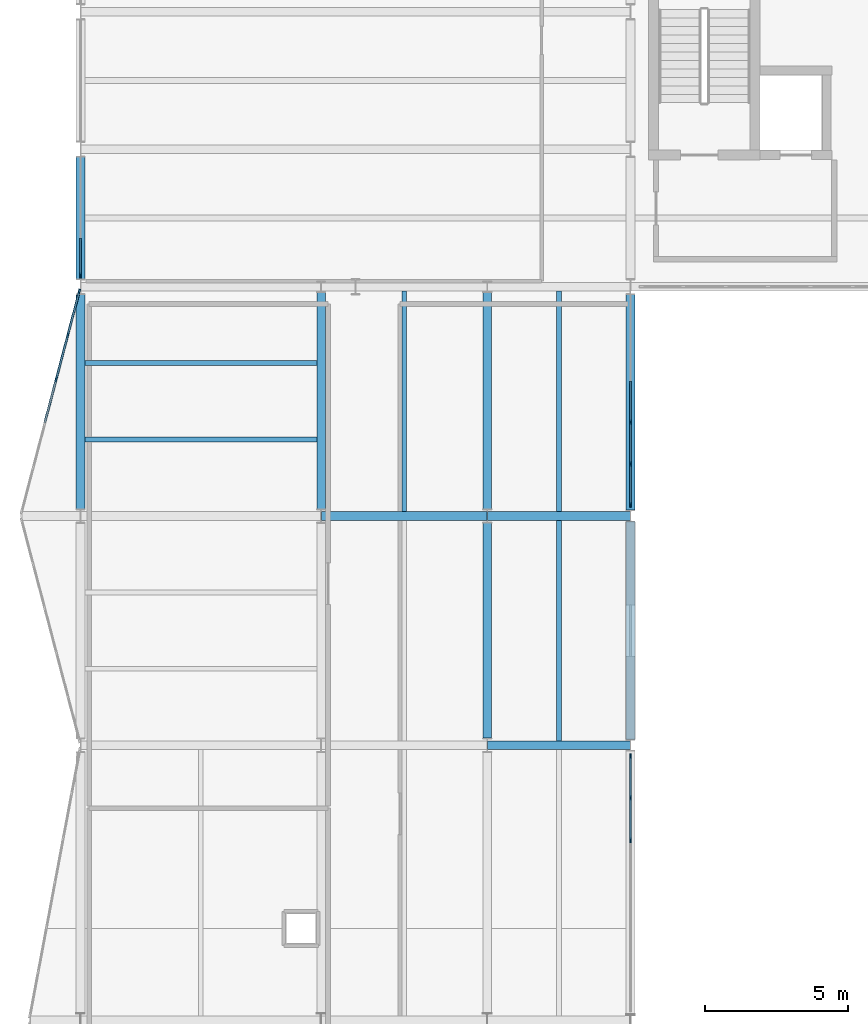
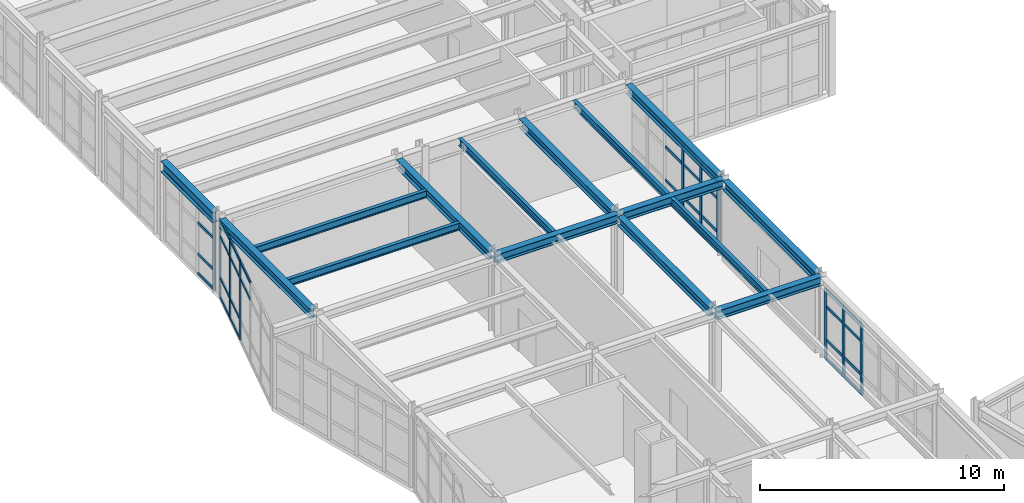
# One storey, part 27 of 88: 44 members, 15 beams, 4 elements without a shape of their own.
"""IFC4 building model written with IfcOpenShell, lengths in metres."""

from ifc_helpers import new_model, si_unit, direction, frame, origin, origin_2d, place, context, subcontext, project, spatial, rectangle, i_section, extrude, material, layer, layer_set, material_profile, profile_set, type_object, element, aggregate, save


model = new_model("IFC4")

# Units and contexts
model_context = context("Model", 3, precision=1e-05, world=origin(), true_north=direction((0.0, 1.0)))
body_context = subcontext(model_context, "Body", "Model", "MODEL_VIEW")
ifc_project = project(units=[si_unit("LENGTHUNIT", "METRE"), si_unit("AREAUNIT", "SQUARE_METRE"), si_unit("VOLUMEUNIT", "CUBIC_METRE"), si_unit("PLANEANGLEUNIT", "RADIAN"), si_unit("MASSUNIT", "GRAM", prefix="KILO")], contexts=[model_context])

# Site, building, storey
site_placement = place(None, origin())
site = spatial("IfcSite", under=ifc_project, at=site_placement, CompositionType="ELEMENT")
building_placement = place(site_placement, origin())
building = spatial("IfcBuilding", under=site, at=building_placement, Name="Nordkorset Police Headquarters", CompositionType="ELEMENT")
storey_placement = place(building_placement, frame((0.0, 0.0, 9.449951171875)))
storey = spatial("IfcBuildingStorey", under=building, at=storey_placement, Name="L02", CompositionType="ELEMENT", Elevation=9.449951171875)

# Beams
ifc_material_1 = material(Name="Steel S355J2", Category="steel")
ifc_material_profile_1 = material_profile(ifc_material_1, i_section(OverallWidth=0.169921875, OverallDepth=0.360107421875, WebThickness=0.008056640625, FlangeThickness=0.0126953125, FilletRadius=0.01806640625, at=origin_2d()), Name="IPE 360")
ifc_profile_set_1 = profile_set([ifc_material_profile_1], Name="Steel S355J2")
beam_type_1 = type_object("IfcBeamType", Name="Beam_IPE_360", PredefinedType="BEAM", material=ifc_profile_set_1)
for number, where, z_axis, x_axis, name in (
    (1, (0.14990234375, 77.86669921875, 3.7900390625), (1.0, 0.0, 0.0), (0.0, 1.0, 0.0), "Composite Floor Beam V3 L02 0-5-1"),
    (2, (0.14990234375, 80.533447265625, 3.7900390625), (1.0, 0.0, 0.0), (0.0, 1.0, 0.0), "Composite Floor Beam V3 L02 0-5-2"),
):
    element("IfcBeam", number, at=place(storey_placement, frame(where, z_axis=z_axis, x_axis=x_axis)), inside=storey, type_object=beam_type_1, Name=name, PredefinedType="BEAM", context=body_context, shape_type="SweptSolid", body=[
        extrude(i_section(OverallWidth=0.169921875, OverallDepth=0.360107421875, WebThickness=0.008056640625, FlangeThickness=0.0126953125, FilletRadius=0.01806640625, at=origin_2d()), origin(), (0.0, 0.0, 1.0), 8.10009765625),
    ])
for number, where, z_axis, x_axis, name in (
    (3, (11.300048828125, 75.35009765625, 3.7900390625), (0.0, 1.0, 0.0), (-1.0, 0.0, 0.0), "Composite Floor Beam V3 L02 1-5-1"),
    (4, (16.699951171875, 67.35009765625, 3.7900390625), (0.0, 1.0, 0.0), (-1.0, 0.0, 0.0), "Composite Floor Beam V3 L02 2-4-1"),
    (5, (16.699951171875, 75.35009765625, 3.7900390625), (0.0, 1.0, 0.0), (-1.0, 0.0, 0.0), "Composite Floor Beam V3 L02 2-5-1"),
):
    element("IfcBeam", number, at=place(storey_placement, frame(where, z_axis=z_axis, x_axis=x_axis)), inside=storey, type_object=beam_type_1, Name=name, PredefinedType="BEAM", context=body_context, shape_type="SweptSolid", body=[
        extrude(i_section(OverallWidth=0.169921875, OverallDepth=0.360107421875, WebThickness=0.008056640625, FlangeThickness=0.0126953125, FilletRadius=0.01806640625, at=origin_2d()), origin(), (0.0, 0.0, 1.0), 7.699951171875),
    ])

# Curtain wall, member
ifc_material_2 = material(Name="Aluminium alloy AW-6060", Category="aluminium")
ifc_layer_1 = layer(ifc_material_2, 0.179931640625, Name="Aluminium alloy AW-6060")
ifc_layer_set_1 = layer_set([ifc_layer_1], Name="Aluminium alloy AW-6060")
curtain_wall_type_1 = type_object("IfcCurtainWallType", Name="CW_Unit_408x341", PredefinedType="USERDEFINED", material=ifc_layer_set_1)
curtain_wall_1_placement = place(storey_placement, origin())
curtain_wall_1 = element("IfcCurtainWall", 6, at=curtain_wall_1_placement, inside=storey, type_object=curtain_wall_type_1, Name="Unitised Curtain Wall L02 V1W-0", ObjectType="UNITISED CURTAIN WALL", PredefinedType="USERDEFINED")
ifc_material_3 = material(Name="Aluminium alloy AW-6060", Category="aluminium")
ifc_material_profile_2 = material_profile(ifc_material_3, rectangle(XDim=0.06494140625, YDim=0.179931640625, at=origin_2d()), Name="ALU MULL 65x180")
ifc_profile_set_2 = profile_set([ifc_material_profile_2], Name="Aluminium alloy AW-6060")
member_type_1 = type_object("IfcMemberType", Name="CW_Mullion_65x180", PredefinedType="MULLION", material=ifc_profile_set_2)
member_1_placement = place(storey_placement, frame((0.0, 83.592529296875, 0.0), z_axis=(0.0, 0.0, 1.0), x_axis=(-1.0, 0.0, 0.0)))
member_1 = element("IfcMember", 7, at=member_1_placement, type_object=member_type_1, Name="CW-40 mullion 1", PredefinedType="MULLION", context=body_context, shape_type="SweptSolid", body=[
    extrude(rectangle(XDim=0.06494140625, YDim=0.179931640625, at=origin_2d()), origin(), (0.0, 0.0, 1.0), 3.41015625),
])

# Curtain wall, members
ifc_material_4 = material(Name="Aluminium alloy AW-6060", Category="aluminium")
ifc_layer_2 = layer(ifc_material_4, 0.179931640625, Name="Aluminium alloy AW-6060")
ifc_layer_set_2 = layer_set([ifc_layer_2], Name="Aluminium alloy AW-6060")
curtain_wall_type_2 = type_object("IfcCurtainWallType", Name="CW_Unit_888x351", PredefinedType="USERDEFINED", material=ifc_layer_set_2)
curtain_wall_2_placement = place(storey_placement, origin())
curtain_wall_2 = element("IfcCurtainWall", 8, at=curtain_wall_2_placement, inside=storey, type_object=curtain_wall_type_2, Name="Unitised Curtain Wall L02 V3E-3", ObjectType="UNITISED CURTAIN WALL", PredefinedType="USERDEFINED")
member_2_placement = place(storey_placement, frame((19.199951171875, 63.8798828125, 0.0), z_axis=(0.0, 0.0, 1.0), x_axis=(-1.0, 0.0, 0.0)))
member_2 = element("IfcMember", 9, at=member_2_placement, type_object=member_type_1, Name="CW-58 mullion 5", PredefinedType="MULLION", context=body_context, shape_type="SweptSolid", body=[
    extrude(rectangle(XDim=0.06494140625, YDim=0.179931640625, at=origin_2d()), origin(), (0.0, 0.0, 1.0), 3.510009765625),
])
member_3_placement = place(storey_placement, frame((19.199951171875, 65.360107421875, 0.0), z_axis=(0.0, 0.0, 1.0), x_axis=(-1.0, 0.0, 0.0)))
member_3 = element("IfcMember", 10, at=member_3_placement, type_object=member_type_1, Name="CW-58 mullion 6", PredefinedType="MULLION", context=body_context, shape_type="SweptSolid", body=[
    extrude(rectangle(XDim=0.06494140625, YDim=0.179931640625, at=origin_2d()), origin(), (0.0, 0.0, 1.0), 3.510009765625),
])
member_4_placement = place(storey_placement, frame((19.199951171875, 66.8076171875, 0.0), z_axis=(0.0, 0.0, 1.0), x_axis=(-1.0, 0.0, 0.0)))
member_4 = element("IfcMember", 11, at=member_4_placement, type_object=member_type_1, Name="CW-58 mullion 7", PredefinedType="MULLION", context=body_context, shape_type="SweptSolid", body=[
    extrude(rectangle(XDim=0.06494140625, YDim=0.179931640625, at=origin_2d()), origin(), (0.0, 0.0, 1.0), 3.510009765625),
])

ifc_material_5 = material(Name="Aluminium alloy AW-6060", Category="aluminium")
ifc_layer_3 = layer(ifc_material_5, 0.179931640625, Name="Aluminium alloy AW-6060")
ifc_layer_set_3 = layer_set([ifc_layer_3], Name="Aluminium alloy AW-6060")
curtain_wall_type_3 = type_object("IfcCurtainWallType", Name="CW_Unit_799x392", PredefinedType="USERDEFINED", material=ifc_layer_set_3)
curtain_wall_3_placement = place(storey_placement, origin())
curtain_wall_3 = element("IfcCurtainWall", 12, at=curtain_wall_3_placement, inside=storey, type_object=curtain_wall_type_3, Name="Unitised Curtain Wall L02 V3W-5", ObjectType="UNITISED CURTAIN WALL", PredefinedType="USERDEFINED")
member_5_placement = place(storey_placement, frame((-0.84716796875, 79.972900390625, 0.0), z_axis=(0.0, 0.0, 1.0), x_axis=(-0.967231265013, 0.25389698695, 0.0)))
member_5 = element("IfcMember", 13, at=member_5_placement, type_object=member_type_1, Name="CW-68 mullion 4", PredefinedType="MULLION", context=body_context, shape_type="SweptSolid", body=[
    extrude(rectangle(XDim=0.06494140625, YDim=0.179931640625, at=origin_2d()), origin(), (0.0, 0.0, 1.0), 3.920166015625),
])
member_6_placement = place(storey_placement, frame((-0.44140625, 81.518798828125, 0.0), z_axis=(0.0, 0.0, 1.0), x_axis=(-0.967231265013, 0.25389698695, 0.0)))
member_6 = element("IfcMember", 14, at=member_6_placement, type_object=member_type_1, Name="CW-68 mullion 5", PredefinedType="MULLION", context=body_context, shape_type="SweptSolid", body=[
    extrude(rectangle(XDim=0.06494140625, YDim=0.179931640625, at=origin_2d()), origin(), (0.0, 0.0, 1.0), 3.920166015625),
])
member_7_placement = place(storey_placement, frame((-0.043701171875, 83.033203125, 0.0), z_axis=(0.0, 0.0, 1.0), x_axis=(-0.967231265013, 0.25389698695, 0.0)))
member_7 = element("IfcMember", 15, at=member_7_placement, type_object=member_type_1, Name="CW-68 mullion 6", PredefinedType="MULLION", context=body_context, shape_type="SweptSolid", body=[
    extrude(rectangle(XDim=0.06494140625, YDim=0.179931640625, at=origin_2d()), origin(), (0.0, 0.0, 1.0), 3.920166015625),
])

ifc_material_6 = material(Name="Aluminium alloy AW-6060", Category="aluminium")
ifc_layer_4 = layer(ifc_material_6, 0.179931640625, Name="Aluminium alloy AW-6060")
ifc_layer_set_4 = layer_set([ifc_layer_4], Name="Aluminium alloy AW-6060")
curtain_wall_type_4 = type_object("IfcCurtainWallType", Name="CW_Unit_728x351", PredefinedType="USERDEFINED", material=ifc_layer_set_4)
curtain_wall_4_placement = place(storey_placement, origin())
curtain_wall_4 = element("IfcCurtainWall", 16, at=curtain_wall_4_placement, inside=storey, type_object=curtain_wall_type_4, Name="Unitised Curtain Wall L02 V3E-5", ObjectType="UNITISED CURTAIN WALL", PredefinedType="USERDEFINED")
member_8_placement = place(storey_placement, frame((19.199951171875, 75.592529296875, 0.0), z_axis=(0.0, 0.0, 1.0), x_axis=(-1.0, 0.0, 0.0)))
member_8 = element("IfcMember", 17, at=member_8_placement, type_object=member_type_1, Name="CW-86 mullion 1", PredefinedType="MULLION", context=body_context, shape_type="SweptSolid", body=[
    extrude(rectangle(XDim=0.06494140625, YDim=0.179931640625, at=origin_2d()), origin(), (0.0, 0.0, 1.0), 3.510009765625),
])
member_9_placement = place(storey_placement, frame((19.199951171875, 77.01611328125, 0.0), z_axis=(0.0, 0.0, 1.0), x_axis=(-1.0, 0.0, 0.0)))
member_9 = element("IfcMember", 18, at=member_9_placement, type_object=member_type_1, Name="CW-86 mullion 2", PredefinedType="MULLION", context=body_context, shape_type="SweptSolid", body=[
    extrude(rectangle(XDim=0.06494140625, YDim=0.179931640625, at=origin_2d()), origin(), (0.0, 0.0, 1.0), 3.510009765625),
])
member_10_placement = place(storey_placement, frame((19.199951171875, 78.471923828125, 0.0), z_axis=(0.0, 0.0, 1.0), x_axis=(-1.0, 0.0, 0.0)))
member_10 = element("IfcMember", 19, at=member_10_placement, type_object=member_type_1, Name="CW-86 mullion 3", PredefinedType="MULLION", context=body_context, shape_type="SweptSolid", body=[
    extrude(rectangle(XDim=0.06494140625, YDim=0.179931640625, at=origin_2d()), origin(), (0.0, 0.0, 1.0), 3.510009765625),
])

# Member
ifc_material_7 = material(Name="Aluminium alloy AW-6060", Category="aluminium")
ifc_material_profile_3 = material_profile(ifc_material_7, rectangle(XDim=0.06494140625, YDim=0.139892578125, at=origin_2d()), Name="ALU TRAN 65x140")
ifc_profile_set_3 = profile_set([ifc_material_profile_3], Name="Aluminium alloy AW-6060")
member_type_2 = type_object("IfcMemberType", Name="CW_Transom_65x140", PredefinedType="USERDEFINED", material=ifc_profile_set_3)
member_11_placement = place(storey_placement, frame((0.0, 83.625, 0.032470703125), z_axis=(0.0, 1.0, 0.0), x_axis=(-1.0, 0.0, 0.0)))
member_11 = element("IfcMember", 20, at=member_11_placement, type_object=member_type_2, Name="CW-40 transom 1.1", ObjectType="TRANSOM", PredefinedType="USERDEFINED", context=body_context, shape_type="SweptSolid", body=[
    extrude(rectangle(XDim=0.06494140625, YDim=0.139892578125, at=origin_2d()), origin(), (0.0, 0.0, 1.0), 1.262451171875),
])

member_12_placement = place(storey_placement, frame((0.0, 83.625, 1.0), z_axis=(0.0, 1.0, 0.0), x_axis=(-1.0, 0.0, 0.0)))
member_12 = element("IfcMember", 21, at=member_12_placement, type_object=member_type_2, Name="CW-40 transom 1.2", ObjectType="TRANSOM", PredefinedType="USERDEFINED", context=body_context, shape_type="SweptSolid", body=[
    extrude(rectangle(XDim=0.06494140625, YDim=0.139892578125, at=origin_2d()), origin(), (0.0, 0.0, 1.0), 1.262451171875),
])

member_13_placement = place(storey_placement, frame((0.0, 83.625, 2.56005859375), z_axis=(0.0, 1.0, 0.0), x_axis=(-1.0, 0.0, 0.0)))
member_13 = element("IfcMember", 22, at=member_13_placement, type_object=member_type_2, Name="CW-40 transom 1.3", ObjectType="TRANSOM", PredefinedType="USERDEFINED", context=body_context, shape_type="SweptSolid", body=[
    extrude(rectangle(XDim=0.06494140625, YDim=0.139892578125, at=origin_2d()), origin(), (0.0, 0.0, 1.0), 1.262451171875),
])

member_14_placement = place(storey_placement, frame((0.0, 83.625, 3.37744140625), z_axis=(0.0, 1.0, 0.0), x_axis=(-1.0, 0.0, 0.0)))
member_14 = element("IfcMember", 23, at=member_14_placement, type_object=member_type_2, Name="CW-40 transom 1.4", ObjectType="TRANSOM", PredefinedType="USERDEFINED", context=body_context, shape_type="SweptSolid", body=[
    extrude(rectangle(XDim=0.06494140625, YDim=0.139892578125, at=origin_2d()), origin(), (0.0, 0.0, 1.0), 1.262451171875),
])

aggregate(curtain_wall_1, [member_1, member_11, member_12, member_13, member_14])

member_15_placement = place(storey_placement, frame((19.199951171875, 63.91259765625, 0.032470703125), z_axis=(0.0, 1.0, 0.0), x_axis=(-1.0, 0.0, 0.0)))
member_15 = element("IfcMember", 24, at=member_15_placement, type_object=member_type_2, Name="CW-58 transom 5.1", ObjectType="TRANSOM", PredefinedType="USERDEFINED", context=body_context, shape_type="SweptSolid", body=[
    extrude(rectangle(XDim=0.06494140625, YDim=0.139892578125, at=origin_2d()), origin(), (0.0, 0.0, 1.0), 1.414794921875),
])

member_16_placement = place(storey_placement, frame((19.199951171875, 63.91259765625, 1.0), z_axis=(0.0, 1.0, 0.0), x_axis=(-1.0, 0.0, 0.0)))
member_16 = element("IfcMember", 25, at=member_16_placement, type_object=member_type_2, Name="CW-58 transom 5.2", ObjectType="TRANSOM", PredefinedType="USERDEFINED", context=body_context, shape_type="SweptSolid", body=[
    extrude(rectangle(XDim=0.06494140625, YDim=0.139892578125, at=origin_2d()), origin(), (0.0, 0.0, 1.0), 1.414794921875),
])

member_17_placement = place(storey_placement, frame((19.199951171875, 63.91259765625, 2.66015625), z_axis=(0.0, 1.0, 0.0), x_axis=(-1.0, 0.0, 0.0)))
member_17 = element("IfcMember", 26, at=member_17_placement, type_object=member_type_2, Name="CW-58 transom 5.3", ObjectType="TRANSOM", PredefinedType="USERDEFINED", context=body_context, shape_type="SweptSolid", body=[
    extrude(rectangle(XDim=0.06494140625, YDim=0.139892578125, at=origin_2d()), origin(), (0.0, 0.0, 1.0), 1.414794921875),
])

member_18_placement = place(storey_placement, frame((19.199951171875, 63.91259765625, 3.4775390625), z_axis=(0.0, 1.0, 0.0), x_axis=(-1.0, 0.0, 0.0)))
member_18 = element("IfcMember", 27, at=member_18_placement, type_object=member_type_2, Name="CW-58 transom 5.4", ObjectType="TRANSOM", PredefinedType="USERDEFINED", context=body_context, shape_type="SweptSolid", body=[
    extrude(rectangle(XDim=0.06494140625, YDim=0.139892578125, at=origin_2d()), origin(), (0.0, 0.0, 1.0), 1.414794921875),
])

member_19_placement = place(storey_placement, frame((19.199951171875, 65.392578125, 0.032470703125), z_axis=(0.0, 1.0, 0.0), x_axis=(-1.0, 0.0, 0.0)))
member_19 = element("IfcMember", 28, at=member_19_placement, type_object=member_type_2, Name="CW-58 transom 6.1", ObjectType="TRANSOM", PredefinedType="USERDEFINED", context=body_context, shape_type="SweptSolid", body=[
    extrude(rectangle(XDim=0.06494140625, YDim=0.139892578125, at=origin_2d()), origin(), (0.0, 0.0, 1.0), 1.38232421875),
])

member_20_placement = place(storey_placement, frame((19.199951171875, 65.392578125, 1.0), z_axis=(0.0, 1.0, 0.0), x_axis=(-1.0, 0.0, 0.0)))
member_20 = element("IfcMember", 29, at=member_20_placement, type_object=member_type_2, Name="CW-58 transom 6.2", ObjectType="TRANSOM", PredefinedType="USERDEFINED", context=body_context, shape_type="SweptSolid", body=[
    extrude(rectangle(XDim=0.06494140625, YDim=0.139892578125, at=origin_2d()), origin(), (0.0, 0.0, 1.0), 1.38232421875),
])

member_21_placement = place(storey_placement, frame((19.199951171875, 65.392578125, 2.66015625), z_axis=(0.0, 1.0, 0.0), x_axis=(-1.0, 0.0, 0.0)))
member_21 = element("IfcMember", 30, at=member_21_placement, type_object=member_type_2, Name="CW-58 transom 6.3", ObjectType="TRANSOM", PredefinedType="USERDEFINED", context=body_context, shape_type="SweptSolid", body=[
    extrude(rectangle(XDim=0.06494140625, YDim=0.139892578125, at=origin_2d()), origin(), (0.0, 0.0, 1.0), 1.38232421875),
])

member_22_placement = place(storey_placement, frame((19.199951171875, 65.392578125, 3.4775390625), z_axis=(0.0, 1.0, 0.0), x_axis=(-1.0, 0.0, 0.0)))
member_22 = element("IfcMember", 31, at=member_22_placement, type_object=member_type_2, Name="CW-58 transom 6.4", ObjectType="TRANSOM", PredefinedType="USERDEFINED", context=body_context, shape_type="SweptSolid", body=[
    extrude(rectangle(XDim=0.06494140625, YDim=0.139892578125, at=origin_2d()), origin(), (0.0, 0.0, 1.0), 1.38232421875),
])

aggregate(curtain_wall_2, [member_2, member_3, member_4, member_15, member_16, member_17, member_18, member_19, member_20, member_21, member_22])

member_23_placement = place(storey_placement, frame((-1.24462890625, 78.45849609375, 3.070068359375), z_axis=(0.253834812056, 0.967247583708, 0.0), x_axis=(-0.967247583708, 0.253834812056, 0.0)))
member_23 = element("IfcMember", 32, at=member_23_placement, type_object=member_type_2, Name="CW-68 transom 3.3", ObjectType="TRANSOM", PredefinedType="USERDEFINED", context=body_context, shape_type="SweptSolid", body=[
    extrude(rectangle(XDim=0.06494140625, YDim=0.139892578125, at=origin_2d()), origin(), (0.0, 0.0, 1.0), 1.533203125),
])

member_24_placement = place(storey_placement, frame((-1.24462890625, 78.45849609375, 3.887451171875), z_axis=(0.253834812056, 0.967247583708, 0.0), x_axis=(-0.967247583708, 0.253834812056, 0.0)))
member_24 = element("IfcMember", 33, at=member_24_placement, type_object=member_type_2, Name="CW-68 transom 3.4", ObjectType="TRANSOM", PredefinedType="USERDEFINED", context=body_context, shape_type="SweptSolid", body=[
    extrude(rectangle(XDim=0.06494140625, YDim=0.139892578125, at=origin_2d()), origin(), (0.0, 0.0, 1.0), 1.533203125),
])

member_25_placement = place(storey_placement, frame((-0.8388671875, 80.00439453125, 0.032470703125), z_axis=(0.253983786522, 0.967208476071, 0.0), x_axis=(-0.967208476071, 0.253983786522, 0.0)))
member_25 = element("IfcMember", 34, at=member_25_placement, type_object=member_type_2, Name="CW-68 transom 4.1", ObjectType="TRANSOM", PredefinedType="USERDEFINED", context=body_context, shape_type="SweptSolid", body=[
    extrude(rectangle(XDim=0.06494140625, YDim=0.139892578125, at=origin_2d()), origin(), (0.0, 0.0, 1.0), 1.533203125),
])

member_26_placement = place(storey_placement, frame((-0.8388671875, 80.00439453125, 1.0), z_axis=(0.253983786522, 0.967208476071, 0.0), x_axis=(-0.967208476071, 0.253983786522, 0.0)))
member_26 = element("IfcMember", 35, at=member_26_placement, type_object=member_type_2, Name="CW-68 transom 4.2", ObjectType="TRANSOM", PredefinedType="USERDEFINED", context=body_context, shape_type="SweptSolid", body=[
    extrude(rectangle(XDim=0.06494140625, YDim=0.139892578125, at=origin_2d()), origin(), (0.0, 0.0, 1.0), 1.533203125),
])

member_27_placement = place(storey_placement, frame((-0.8388671875, 80.00439453125, 3.070068359375), z_axis=(0.253983786522, 0.967208476071, 0.0), x_axis=(-0.967208476071, 0.253983786522, 0.0)))
member_27 = element("IfcMember", 36, at=member_27_placement, type_object=member_type_2, Name="CW-68 transom 4.3", ObjectType="TRANSOM", PredefinedType="USERDEFINED", context=body_context, shape_type="SweptSolid", body=[
    extrude(rectangle(XDim=0.06494140625, YDim=0.139892578125, at=origin_2d()), origin(), (0.0, 0.0, 1.0), 1.533203125),
])

member_28_placement = place(storey_placement, frame((-0.8388671875, 80.00439453125, 3.887451171875), z_axis=(0.253983786522, 0.967208476071, 0.0), x_axis=(-0.967208476071, 0.253983786522, 0.0)))
member_28 = element("IfcMember", 37, at=member_28_placement, type_object=member_type_2, Name="CW-68 transom 4.4", ObjectType="TRANSOM", PredefinedType="USERDEFINED", context=body_context, shape_type="SweptSolid", body=[
    extrude(rectangle(XDim=0.06494140625, YDim=0.139892578125, at=origin_2d()), origin(), (0.0, 0.0, 1.0), 1.533203125),
])

member_29_placement = place(storey_placement, frame((-0.43310546875, 81.55029296875, 0.032470703125), z_axis=(0.253964717796, 0.967213483216, 0.0), x_axis=(-0.967213483216, 0.253964717796, 0.0)))
member_29 = element("IfcMember", 38, at=member_29_placement, type_object=member_type_2, Name="CW-68 transom 5.1", ObjectType="TRANSOM", PredefinedType="USERDEFINED", context=body_context, shape_type="SweptSolid", body=[
    extrude(rectangle(XDim=0.06494140625, YDim=0.139892578125, at=origin_2d()), origin(), (0.0, 0.0, 1.0), 1.500732421875),
])

member_30_placement = place(storey_placement, frame((-0.43310546875, 81.55029296875, 1.0), z_axis=(0.253964717796, 0.967213483216, 0.0), x_axis=(-0.967213483216, 0.253964717796, 0.0)))
member_30 = element("IfcMember", 39, at=member_30_placement, type_object=member_type_2, Name="CW-68 transom 5.2", ObjectType="TRANSOM", PredefinedType="USERDEFINED", context=body_context, shape_type="SweptSolid", body=[
    extrude(rectangle(XDim=0.06494140625, YDim=0.139892578125, at=origin_2d()), origin(), (0.0, 0.0, 1.0), 1.500732421875),
])

member_31_placement = place(storey_placement, frame((-0.43310546875, 81.55029296875, 3.070068359375), z_axis=(0.253964717796, 0.967213483216, 0.0), x_axis=(-0.967213483216, 0.253964717796, 0.0)))
member_31 = element("IfcMember", 40, at=member_31_placement, type_object=member_type_2, Name="CW-68 transom 5.3", ObjectType="TRANSOM", PredefinedType="USERDEFINED", context=body_context, shape_type="SweptSolid", body=[
    extrude(rectangle(XDim=0.06494140625, YDim=0.139892578125, at=origin_2d()), origin(), (0.0, 0.0, 1.0), 1.500732421875),
])

member_32_placement = place(storey_placement, frame((-0.43310546875, 81.55029296875, 3.887451171875), z_axis=(0.253964717796, 0.967213483216, 0.0), x_axis=(-0.967213483216, 0.253964717796, 0.0)))
member_32 = element("IfcMember", 41, at=member_32_placement, type_object=member_type_2, Name="CW-68 transom 5.4", ObjectType="TRANSOM", PredefinedType="USERDEFINED", context=body_context, shape_type="SweptSolid", body=[
    extrude(rectangle(XDim=0.06494140625, YDim=0.139892578125, at=origin_2d()), origin(), (0.0, 0.0, 1.0), 1.500732421875),
])

aggregate(curtain_wall_3, [member_5, member_6, member_7, member_23, member_24, member_25, member_26, member_27, member_28, member_29, member_30, member_31, member_32])

member_33_placement = place(storey_placement, frame((19.199951171875, 75.625, 0.032470703125), z_axis=(0.0, 1.0, 0.0), x_axis=(-1.0, 0.0, 0.0)))
member_33 = element("IfcMember", 42, at=member_33_placement, type_object=member_type_2, Name="CW-86 transom 1.1", ObjectType="TRANSOM", PredefinedType="USERDEFINED", context=body_context, shape_type="SweptSolid", body=[
    extrude(rectangle(XDim=0.06494140625, YDim=0.139892578125, at=origin_2d()), origin(), (0.0, 0.0, 1.0), 1.3583984375),
])

member_34_placement = place(storey_placement, frame((19.199951171875, 75.625, 1.0), z_axis=(0.0, 1.0, 0.0), x_axis=(-1.0, 0.0, 0.0)))
member_34 = element("IfcMember", 43, at=member_34_placement, type_object=member_type_2, Name="CW-86 transom 1.2", ObjectType="TRANSOM", PredefinedType="USERDEFINED", context=body_context, shape_type="SweptSolid", body=[
    extrude(rectangle(XDim=0.06494140625, YDim=0.139892578125, at=origin_2d()), origin(), (0.0, 0.0, 1.0), 1.3583984375),
])

member_35_placement = place(storey_placement, frame((19.199951171875, 75.625, 2.66015625), z_axis=(0.0, 1.0, 0.0), x_axis=(-1.0, 0.0, 0.0)))
member_35 = element("IfcMember", 44, at=member_35_placement, type_object=member_type_2, Name="CW-86 transom 1.3", ObjectType="TRANSOM", PredefinedType="USERDEFINED", context=body_context, shape_type="SweptSolid", body=[
    extrude(rectangle(XDim=0.06494140625, YDim=0.139892578125, at=origin_2d()), origin(), (0.0, 0.0, 1.0), 1.3583984375),
])

member_36_placement = place(storey_placement, frame((19.199951171875, 75.625, 3.4775390625), z_axis=(0.0, 1.0, 0.0), x_axis=(-1.0, 0.0, 0.0)))
member_36 = element("IfcMember", 45, at=member_36_placement, type_object=member_type_2, Name="CW-86 transom 1.4", ObjectType="TRANSOM", PredefinedType="USERDEFINED", context=body_context, shape_type="SweptSolid", body=[
    extrude(rectangle(XDim=0.06494140625, YDim=0.139892578125, at=origin_2d()), origin(), (0.0, 0.0, 1.0), 1.3583984375),
])

member_37_placement = place(storey_placement, frame((19.199951171875, 77.048583984375, 0.032470703125), z_axis=(0.0, 1.0, 0.0), x_axis=(-1.0, 0.0, 0.0)))
member_37 = element("IfcMember", 46, at=member_37_placement, type_object=member_type_2, Name="CW-86 transom 2.1", ObjectType="TRANSOM", PredefinedType="USERDEFINED", context=body_context, shape_type="SweptSolid", body=[
    extrude(rectangle(XDim=0.06494140625, YDim=0.139892578125, at=origin_2d()), origin(), (0.0, 0.0, 1.0), 1.390869140625),
])

member_38_placement = place(storey_placement, frame((19.199951171875, 77.048583984375, 1.0), z_axis=(0.0, 1.0, 0.0), x_axis=(-1.0, 0.0, 0.0)))
member_38 = element("IfcMember", 47, at=member_38_placement, type_object=member_type_2, Name="CW-86 transom 2.2", ObjectType="TRANSOM", PredefinedType="USERDEFINED", context=body_context, shape_type="SweptSolid", body=[
    extrude(rectangle(XDim=0.06494140625, YDim=0.139892578125, at=origin_2d()), origin(), (0.0, 0.0, 1.0), 1.390869140625),
])

member_39_placement = place(storey_placement, frame((19.199951171875, 77.048583984375, 2.66015625), z_axis=(0.0, 1.0, 0.0), x_axis=(-1.0, 0.0, 0.0)))
member_39 = element("IfcMember", 48, at=member_39_placement, type_object=member_type_2, Name="CW-86 transom 2.3", ObjectType="TRANSOM", PredefinedType="USERDEFINED", context=body_context, shape_type="SweptSolid", body=[
    extrude(rectangle(XDim=0.06494140625, YDim=0.139892578125, at=origin_2d()), origin(), (0.0, 0.0, 1.0), 1.390869140625),
])

member_40_placement = place(storey_placement, frame((19.199951171875, 77.048583984375, 3.4775390625), z_axis=(0.0, 1.0, 0.0), x_axis=(-1.0, 0.0, 0.0)))
member_40 = element("IfcMember", 49, at=member_40_placement, type_object=member_type_2, Name="CW-86 transom 2.4", ObjectType="TRANSOM", PredefinedType="USERDEFINED", context=body_context, shape_type="SweptSolid", body=[
    extrude(rectangle(XDim=0.06494140625, YDim=0.139892578125, at=origin_2d()), origin(), (0.0, 0.0, 1.0), 1.390869140625),
])

member_41_placement = place(storey_placement, frame((19.199951171875, 78.50439453125, 0.032470703125), z_axis=(0.0, 1.0, 0.0), x_axis=(-1.0, 0.0, 0.0)))
member_41 = element("IfcMember", 50, at=member_41_placement, type_object=member_type_2, Name="CW-86 transom 3.1", ObjectType="TRANSOM", PredefinedType="USERDEFINED", context=body_context, shape_type="SweptSolid", body=[
    extrude(rectangle(XDim=0.06494140625, YDim=0.139892578125, at=origin_2d()), origin(), (0.0, 0.0, 1.0), 1.39111328125),
])

member_42_placement = place(storey_placement, frame((19.199951171875, 78.50439453125, 1.0), z_axis=(0.0, 1.0, 0.0), x_axis=(-1.0, 0.0, 0.0)))
member_42 = element("IfcMember", 51, at=member_42_placement, type_object=member_type_2, Name="CW-86 transom 3.2", ObjectType="TRANSOM", PredefinedType="USERDEFINED", context=body_context, shape_type="SweptSolid", body=[
    extrude(rectangle(XDim=0.06494140625, YDim=0.139892578125, at=origin_2d()), origin(), (0.0, 0.0, 1.0), 1.39111328125),
])

member_43_placement = place(storey_placement, frame((19.199951171875, 78.50439453125, 2.66015625), z_axis=(0.0, 1.0, 0.0), x_axis=(-1.0, 0.0, 0.0)))
member_43 = element("IfcMember", 52, at=member_43_placement, type_object=member_type_2, Name="CW-86 transom 3.3", ObjectType="TRANSOM", PredefinedType="USERDEFINED", context=body_context, shape_type="SweptSolid", body=[
    extrude(rectangle(XDim=0.06494140625, YDim=0.139892578125, at=origin_2d()), origin(), (0.0, 0.0, 1.0), 1.39111328125),
])

member_44_placement = place(storey_placement, frame((19.199951171875, 78.50439453125, 3.4775390625), z_axis=(0.0, 1.0, 0.0), x_axis=(-1.0, 0.0, 0.0)))
member_44 = element("IfcMember", 53, at=member_44_placement, type_object=member_type_2, Name="CW-86 transom 3.4", ObjectType="TRANSOM", PredefinedType="USERDEFINED", context=body_context, shape_type="SweptSolid", body=[
    extrude(rectangle(XDim=0.06494140625, YDim=0.139892578125, at=origin_2d()), origin(), (0.0, 0.0, 1.0), 1.39111328125),
])

aggregate(curtain_wall_4, [member_8, member_9, member_10, member_33, member_34, member_35, member_36, member_37, member_38, member_39, member_40, member_41, member_42, member_43, member_44])

# Beams
ifc_material_8 = material(Name="Steel S355J2", Category="steel")
ifc_material_profile_4 = material_profile(ifc_material_8, i_section(OverallWidth=0.300048828125, OverallDepth=0.43994140625, WebThickness=0.011474609375, FlangeThickness=0.02099609375, FilletRadius=0.027099609375, at=origin_2d()), Name="HEA 450")
ifc_profile_set_4 = profile_set([ifc_material_profile_4], Name="Steel S355J2")
beam_type_2 = type_object("IfcBeamType", Name="Girder_HEA_450", PredefinedType="USERDEFINED", material=ifc_profile_set_4)
beam_1_placement = place(storey_placement, frame((14.207275390625, 67.199951171875, 3.75), z_axis=(1.0, 0.0, 0.0), x_axis=(0.0, 1.0, 0.0)))
element("IfcBeam", 54, at=beam_1_placement, inside=storey, type_object=beam_type_2, Name="Girder V3 L02 GX-4-2", ObjectType="GIRDER", PredefinedType="USERDEFINED", context=body_context, shape_type="SweptSolid", body=[
    extrude(i_section(OverallWidth=0.300048828125, OverallDepth=0.43994140625, WebThickness=0.011474609375, FlangeThickness=0.02099609375, FilletRadius=0.027099609375, at=origin_2d()), origin(), (0.0, 0.0, 1.0), 4.986083984375),
])
beam_2_placement = place(storey_placement, frame((8.4072265625, 75.199951171875, 3.75), z_axis=(1.0, 0.0, 0.0), x_axis=(0.0, 1.0, 0.0)))
element("IfcBeam", 55, at=beam_2_placement, inside=storey, type_object=beam_type_2, Name="Girder V3 L02 GX-5-1", ObjectType="GIRDER", PredefinedType="USERDEFINED", context=body_context, shape_type="SweptSolid", body=[
    extrude(i_section(OverallWidth=0.300048828125, OverallDepth=0.43994140625, WebThickness=0.011474609375, FlangeThickness=0.02099609375, FilletRadius=0.027099609375, at=origin_2d()), origin(), (0.0, 0.0, 1.0), 5.785400390625),
])
beam_3_placement = place(storey_placement, frame((14.207275390625, 75.199951171875, 3.75), z_axis=(1.0, 0.0, 0.0), x_axis=(0.0, 1.0, 0.0)))
element("IfcBeam", 56, at=beam_3_placement, inside=storey, type_object=beam_type_2, Name="Girder V3 L02 GX-5-2", ObjectType="GIRDER", PredefinedType="USERDEFINED", context=body_context, shape_type="SweptSolid", body=[
    extrude(i_section(OverallWidth=0.300048828125, OverallDepth=0.43994140625, WebThickness=0.011474609375, FlangeThickness=0.02099609375, FilletRadius=0.027099609375, at=origin_2d()), origin(), (0.0, 0.0, 1.0), 4.986083984375),
])
beam_4_placement = place(storey_placement, frame((0.0, 75.449951171875, 3.75), z_axis=(0.0, 1.0, 0.0), x_axis=(-1.0, 0.0, 0.0)))
element("IfcBeam", 57, at=beam_4_placement, inside=storey, type_object=beam_type_2, Name="Girder V3 L02 GY-0-5", ObjectType="GIRDER", PredefinedType="USERDEFINED", context=body_context, shape_type="SweptSolid", body=[
    extrude(i_section(OverallWidth=0.300048828125, OverallDepth=0.43994140625, WebThickness=0.011474609375, FlangeThickness=0.02099609375, FilletRadius=0.027099609375, at=origin_2d()), origin(), (0.0, 0.0, 1.0), 7.47509765625),
])
beam_5_placement = place(storey_placement, frame((8.39990234375, 75.449951171875, 3.75), z_axis=(0.0, 1.0, 0.0), x_axis=(-1.0, 0.0, 0.0)))
element("IfcBeam", 58, at=beam_5_placement, inside=storey, type_object=beam_type_2, Name="Girder V3 L02 GY-1-5", ObjectType="GIRDER", PredefinedType="USERDEFINED", context=body_context, shape_type="SweptSolid", body=[
    extrude(i_section(OverallWidth=0.300048828125, OverallDepth=0.43994140625, WebThickness=0.011474609375, FlangeThickness=0.02099609375, FilletRadius=0.027099609375, at=origin_2d()), origin(), (0.0, 0.0, 1.0), 7.550048828125),
])
beam_6_placement = place(storey_placement, frame((14.199951171875, 67.449951171875, 3.75), z_axis=(0.0, 1.0, 0.0), x_axis=(-1.0, 0.0, 0.0)))
element("IfcBeam", 59, at=beam_6_placement, inside=storey, type_object=beam_type_2, Name="Girder V3 L02 GY-2-4", ObjectType="GIRDER", PredefinedType="USERDEFINED", context=body_context, shape_type="SweptSolid", body=[
    extrude(i_section(OverallWidth=0.300048828125, OverallDepth=0.43994140625, WebThickness=0.011474609375, FlangeThickness=0.02099609375, FilletRadius=0.027099609375, at=origin_2d()), origin(), (0.0, 0.0, 1.0), 7.5),
])
beam_7_placement = place(storey_placement, frame((14.199951171875, 75.449951171875, 3.75), z_axis=(0.0, 1.0, 0.0), x_axis=(-1.0, 0.0, 0.0)))
element("IfcBeam", 60, at=beam_7_placement, inside=storey, type_object=beam_type_2, Name="Girder V3 L02 GY-2-5", ObjectType="GIRDER", PredefinedType="USERDEFINED", context=body_context, shape_type="SweptSolid", body=[
    extrude(i_section(OverallWidth=0.300048828125, OverallDepth=0.43994140625, WebThickness=0.011474609375, FlangeThickness=0.02099609375, FilletRadius=0.027099609375, at=origin_2d()), origin(), (0.0, 0.0, 1.0), 7.550048828125),
])
beam_8_placement = place(storey_placement, frame((19.199951171875, 67.39990234375, 3.75), z_axis=(0.0, 1.0, 0.0), x_axis=(-1.0, 0.0, 0.0)))
element("IfcBeam", 61, at=beam_8_placement, inside=storey, type_object=beam_type_2, Name="Girder V3 L02 GY-3-4", ObjectType="GIRDER", PredefinedType="USERDEFINED", context=body_context, shape_type="SweptSolid", body=[
    extrude(i_section(OverallWidth=0.300048828125, OverallDepth=0.43994140625, WebThickness=0.011474609375, FlangeThickness=0.02099609375, FilletRadius=0.027099609375, at=origin_2d()), origin(), (0.0, 0.0, 1.0), 7.60009765625),
])
beam_9_placement = place(storey_placement, frame((19.199951171875, 75.39990234375, 3.75), z_axis=(0.0, 1.0, 0.0), x_axis=(-1.0, 0.0, 0.0)))
element("IfcBeam", 62, at=beam_9_placement, inside=storey, type_object=beam_type_2, Name="Girder V3 L02 GY-3-5", ObjectType="GIRDER", PredefinedType="USERDEFINED", context=body_context, shape_type="SweptSolid", body=[
    extrude(i_section(OverallWidth=0.300048828125, OverallDepth=0.43994140625, WebThickness=0.011474609375, FlangeThickness=0.02099609375, FilletRadius=0.027099609375, at=origin_2d()), origin(), (0.0, 0.0, 1.0), 7.525146484375),
])
ifc_material_9 = material(Name="Steel S355J2", Category="steel")
ifc_material_profile_5 = material_profile(ifc_material_9, i_section(OverallWidth=0.300048828125, OverallDepth=0.5400390625, WebThickness=0.012451171875, FlangeThickness=0.02392578125, FilletRadius=0.027099609375, at=origin_2d()), Name="HEA 550")
ifc_profile_set_5 = profile_set([ifc_material_profile_5], Name="Steel S355J2")
beam_type_3 = type_object("IfcBeamType", Name="Girder_HEA_550", PredefinedType="USERDEFINED", material=ifc_profile_set_5)
beam_10_placement = place(storey_placement, frame((0.0, 83.47509765625, 3.699951171875), z_axis=(0.0, 1.0, 0.0), x_axis=(-1.0, 0.0, 0.0)))
element("IfcBeam", 63, at=beam_10_placement, inside=storey, type_object=beam_type_3, Name="Girder V1 L02 GY-0-0", ObjectType="GIRDER", PredefinedType="USERDEFINED", context=body_context, shape_type="SweptSolid", body=[
    extrude(i_section(OverallWidth=0.300048828125, OverallDepth=0.5400390625, WebThickness=0.012451171875, FlangeThickness=0.02392578125, FilletRadius=0.027099609375, at=origin_2d()), origin(), (0.0, 0.0, 1.0), 4.25),
])

save(model, "model.ifc")
